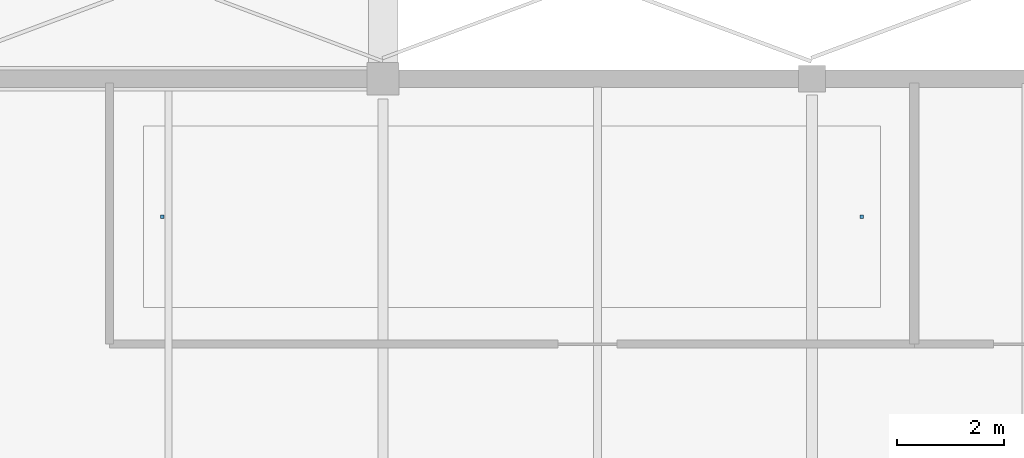
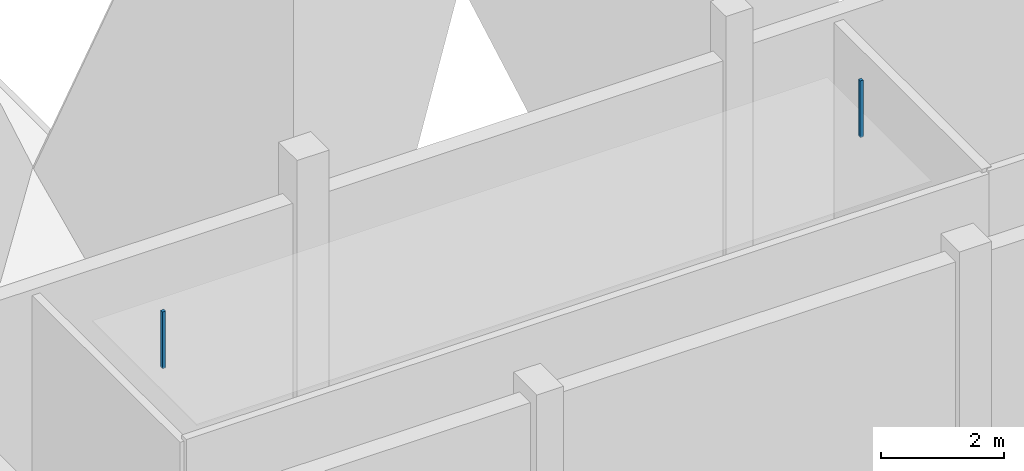
# One storey, part 82 of 107: 2 discrete accessories.
"""IFC4 building model written with IfcOpenShell, lengths in metres."""

from ifc_helpers import new_model, si_unit, direction, frame, origin, origin_2d, place, context, subcontext, project, spatial, rectangle, extrude, material, type_object, element, save


model = new_model("IFC4")

# Units and contexts
model_context = context("Model", 3, precision=1e-05, world=origin(), true_north=direction((0.0, 1.0)))
body_context = subcontext(model_context, "Body", "Model", "MODEL_VIEW")
ifc_project = project(units=[si_unit("LENGTHUNIT", "METRE"), si_unit("AREAUNIT", "SQUARE_METRE"), si_unit("VOLUMEUNIT", "CUBIC_METRE"), si_unit("PLANEANGLEUNIT", "RADIAN"), si_unit("MASSUNIT", "GRAM", prefix="KILO")], contexts=[model_context])

# Site, building, storey
site_placement = place(None, origin())
site = spatial("IfcSite", under=ifc_project, at=site_placement, CompositionType="ELEMENT")
building_placement = place(site_placement, origin())
building = spatial("IfcBuilding", under=site, at=building_placement, Name="Khelvaren Railside Concert Hall", CompositionType="ELEMENT")
storey_placement = place(building_placement, frame((0.0, 0.0, 15.0)))
storey = spatial("IfcBuildingStorey", under=building, at=storey_placement, Name="L03", CompositionType="ELEMENT", Elevation=15.0)

# Discrete accessories
ifc_material = material(Name="Galvanised steel acoustic ceiling hanger rod", Category="steel")
discrete_accessory_type = type_object("IfcDiscreteAccessoryType", Name="BRK62", PredefinedType="BRACKET", material=ifc_material)
for number, where, z_axis, x_axis, name in (
    (1, (11.8798828125, 43.02490234375, 3.429931640625), (0.0, 0.0, 1.0), (1.0, 0.0, 0.0), "Acoustic Ceiling Suspension Bracket 33-1"),
    (2, (24.929931640625, 43.02490234375, 3.429931640625), (0.0, 0.0, 1.0), (1.0, 0.0, 0.0), "Acoustic Ceiling Suspension Bracket 33-2"),
):
    element("IfcDiscreteAccessory", number, at=place(storey_placement, frame(where, z_axis=z_axis, x_axis=x_axis)), inside=storey, type_object=discrete_accessory_type, Name=name, PredefinedType="BRACKET", context=body_context, shape_type="SweptSolid", body=[
        extrude(rectangle(XDim=0.06005859375, YDim=0.06005859375, at=origin_2d()), origin(), (0.0, 0.0, 1.0), 1.1201171875),
    ])

save(model, "model.ifc")
